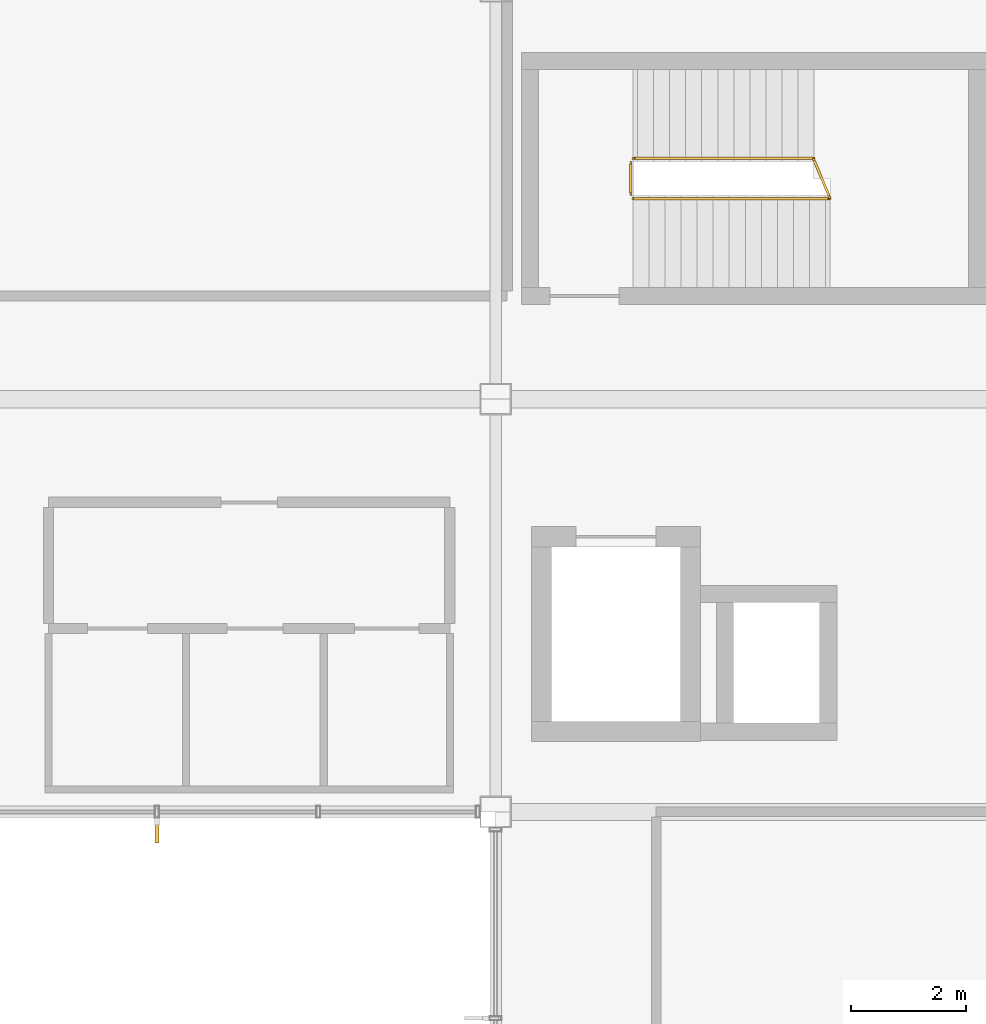
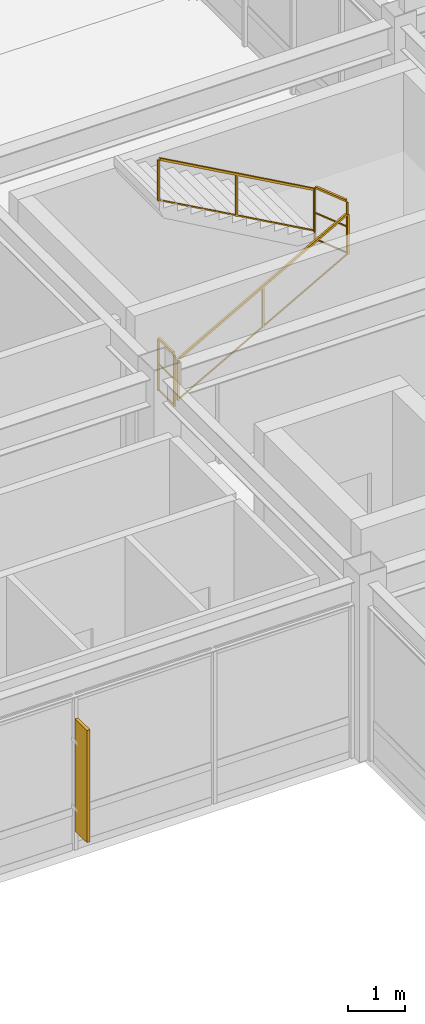
# One storey, part 121 of 122: 4 railings, 1 shading device.
"""IFC4 building model written with IfcOpenShell, lengths in metres."""

from ifc_helpers import new_model, si_unit, direction, frame, origin, origin_2d, place, context, subcontext, project, spatial, rectangle, extrude, material, type_object, element, save


model = new_model("IFC4")

# Units and contexts
model_context = context("Model", 3, precision=1e-05, world=origin(), true_north=direction((0.0, 1.0)))
body_context = subcontext(model_context, "Body", "Model", "MODEL_VIEW")
ifc_project = project(units=[si_unit("LENGTHUNIT", "METRE"), si_unit("AREAUNIT", "SQUARE_METRE"), si_unit("VOLUMEUNIT", "CUBIC_METRE"), si_unit("PLANEANGLEUNIT", "RADIAN"), si_unit("MASSUNIT", "GRAM", prefix="KILO")], contexts=[model_context])

# Site, building, storey
site_placement = place(None, origin())
site = spatial("IfcSite", under=ifc_project, at=site_placement, CompositionType="ELEMENT")
building_placement = place(site_placement, origin())
building = spatial("IfcBuilding", under=site, at=building_placement, Name="Kazanami Central Library", CompositionType="ELEMENT")
storey_placement = place(building_placement, frame((0.0, 0.0, 4.800048828125)))
storey = spatial("IfcBuildingStorey", under=building, at=storey_placement, Name="L02", CompositionType="ELEMENT", Elevation=4.800048828125)

# Railings
ifc_material_1 = material(Name="Stainless Steel SUS304", Category="steel")
railing_type_1 = type_object("IfcRailingType", Name="RAL-GR-S1", PredefinedType="GUARDRAIL", material=ifc_material_1)
railing_1_placement = place(storey_placement, frame((101.360107421875, 75.570068359375, 0.0)))
element("IfcRailing", 1, at=railing_1_placement, inside=storey, type_object=railing_type_1, Name="Stair Well Guard ST-04 L02", PredefinedType="GUARDRAIL", context=body_context, shape_type="SweptSolid", body=[
    extrude(rectangle(XDim=0.0439453125, YDim=0.0439453125, at=origin_2d()), frame((0.0, 0.02587890625, 1.1279296875), z_axis=(0.0, 1.0, 0.0), x_axis=(-1.0, 0.0, 0.0)), (0.0, 0.0, 1.0), 0.5078125),
    extrude(rectangle(XDim=0.02392578125, YDim=0.02392578125, at=origin_2d()), frame((0.0, 0.02587890625, 0.015869140625), z_axis=(0.0, 1.0, 0.0), x_axis=(-1.0, 0.0, 0.0)), (0.0, 0.0, 1.0), 0.5078125),
    extrude(rectangle(XDim=0.02392578125, YDim=0.02392578125, at=origin_2d()), frame((0.0, 0.02587890625, 0.574951171875), z_axis=(0.0, 1.0, 0.0), x_axis=(-1.0, 0.0, 0.0)), (0.0, 0.0, 1.0), 0.5078125),
    extrude(rectangle(XDim=0.035888671875, YDim=0.035888671875, at=origin_2d()), origin(), (0.0, 0.0, 1.0), 1.10205078125),
    extrude(rectangle(XDim=0.035888671875, YDim=0.035888671875, at=origin_2d()), frame((0.0, 0.559814453125, 0.0)), (0.0, 0.0, 1.0), 1.10205078125),
])
railing_2_placement = place(storey_placement, frame((104.827880859375, 75.52001953125, 2.079833984375)))
element("IfcRailing", 2, at=railing_2_placement, inside=storey, type_object=railing_type_1, Name="Half-Landing Well Guard ST-04 L02", PredefinedType="GUARDRAIL", context=body_context, shape_type="SweptSolid", body=[
    extrude(rectangle(XDim=0.0439453125, YDim=0.0439453125, at=origin_2d()), frame((-0.01025390625, 0.02392578125, 1.1279296875), z_axis=(-0.390339903858, 0.920670820357, 0.0), x_axis=(-0.920670820357, -0.390339903858, 0.0)), (0.0, 0.0, 1.0), 0.664794921875),
    extrude(rectangle(XDim=0.02392578125, YDim=0.02392578125, at=origin_2d()), frame((-0.01025390625, 0.02392578125, 0.015869140625), z_axis=(-0.390339903858, 0.920670820357, 0.0), x_axis=(-0.920670820357, -0.390339903858, 0.0)), (0.0, 0.0, 1.0), 0.664794921875),
    extrude(rectangle(XDim=0.02392578125, YDim=0.02392578125, at=origin_2d()), frame((-0.01025390625, 0.02392578125, 0.574951171875), z_axis=(-0.390339903858, 0.920670820357, 0.0), x_axis=(-0.920670820357, -0.390339903858, 0.0)), (0.0, 0.0, 1.0), 0.664794921875),
    extrude(rectangle(XDim=0.035888671875, YDim=0.035888671875, at=origin_2d()), origin(), (0.0, 0.0, 1.0), 1.10205078125),
    extrude(rectangle(XDim=0.035888671875, YDim=0.035888671875, at=origin_2d()), frame((-0.27978515625, 0.659912109375, 0.0)), (0.0, 0.0, 1.0), 1.10205078125),
])
railing_type_2 = type_object("IfcRailingType", Name="RAL-HR-01", PredefinedType="HANDRAIL", material=ifc_material_1)
railing_3_placement = place(storey_placement, frame((101.39404296875, 75.5, 0.159912109375)))
element("IfcRailing", 3, at=railing_3_placement, inside=storey, type_object=railing_type_2, Name="Stair Handrail ST-04 Flight 1 (L02)", PredefinedType="HANDRAIL", context=body_context, shape_type="SweptSolid", body=[
    extrude(rectangle(XDim=0.0439453125, YDim=0.0439453125, at=origin_2d()), frame((0.022705078125, 0.0, 0.890625), z_axis=(0.872833868075, 0.0, 0.488017457415), x_axis=(0.0, 1.0, 0.0)), (0.0, 0.0, 1.0), 3.882080078125),
    extrude(rectangle(XDim=0.02392578125, YDim=0.02392578125, at=origin_2d()), frame((0.022705078125, 0.0, 0.028564453125), z_axis=(0.872833868075, 0.0, 0.488017457415), x_axis=(0.0, 1.0, 0.0)), (0.0, 0.0, 1.0), 3.882080078125),
    extrude(rectangle(XDim=0.035888671875, YDim=0.035888671875, at=origin_2d()), origin(), (0.0, 0.0, 1.0), 0.85205078125),
    extrude(rectangle(XDim=0.035888671875, YDim=0.035888671875, at=origin_2d()), frame((1.716796875, 0.0, 0.9599609375)), (0.0, 0.0, 1.0), 0.85205078125),
    extrude(rectangle(XDim=0.035888671875, YDim=0.035888671875, at=origin_2d()), frame((3.433837890625, 0.0, 1.919921875)), (0.0, 0.0, 1.0), 0.85205078125),
])
railing_type_3 = type_object("IfcRailingType", Name="RAL-HR-02", PredefinedType="HANDRAIL", material=ifc_material_1)
railing_4_placement = place(storey_placement, frame((104.553955078125, 76.199951171875, 2.239990234375)))
element("IfcRailing", 4, at=railing_4_placement, inside=storey, type_object=railing_type_3, Name="Stair Handrail ST-04 Flight 2 (L02)", PredefinedType="HANDRAIL", context=body_context, shape_type="SweptSolid", body=[
    extrude(rectangle(XDim=0.0439453125, YDim=0.0439453125, at=origin_2d()), frame((-0.022705078125, 0.0, 0.91064453125), z_axis=(-0.873243856975, 0.0, 0.487283455758), x_axis=(0.0, -1.0, 0.0)), (0.0, 0.0, 1.0), 3.559814453125),
    extrude(rectangle(XDim=0.02392578125, YDim=0.02392578125, at=origin_2d()), frame((-0.022705078125, 0.0, 0.028564453125), z_axis=(-0.873243856975, 0.0, 0.487283455758), x_axis=(0.0, -1.0, 0.0)), (0.0, 0.0, 1.0), 3.559814453125),
    extrude(rectangle(XDim=0.035888671875, YDim=0.035888671875, at=origin_2d()), origin(), (0.0, 0.0, 1.0), 0.8720703125),
    extrude(rectangle(XDim=0.035888671875, YDim=0.035888671875, at=origin_2d()), frame((-1.5771484375, 0.0, 0.8798828125)), (0.0, 0.0, 1.0), 0.8720703125),
    extrude(rectangle(XDim=0.035888671875, YDim=0.035888671875, at=origin_2d()), frame((-3.154052734375, 0.0, 1.760009765625)), (0.0, 0.0, 1.0), 0.8720703125),
])

# Shading device
ifc_material_2 = material(Name="Anodised Bronze-Grey Aluminium A6063-T5", Category="aluminium")
shading_device_type = type_object("IfcShadingDeviceType", Name="SHD-FIN-2", PredefinedType="USERDEFINED", material=ifc_material_2)
shading_device_placement = place(storey_placement, frame((93.091552734375, 64.469970703125, 0.427490234375), z_axis=(0.0, 0.0, 1.0), x_axis=(1.0, 0.0, 0.0)))
element("IfcShadingDevice", 5, at=shading_device_placement, inside=storey, type_object=shading_device_type, Name="Vertical Solar Fin SF-02 L02 S-K-10.1", ObjectType="SOLAR FIN", PredefinedType="USERDEFINED", context=body_context, shape_type="SweptSolid", body=[
    extrude(rectangle(XDim=0.06494140625, YDim=0.419921875, at=origin_2d()), origin(), (0.0, 0.0, 1.0), 2.39990234375),
])

save(model, "model.ifc")
